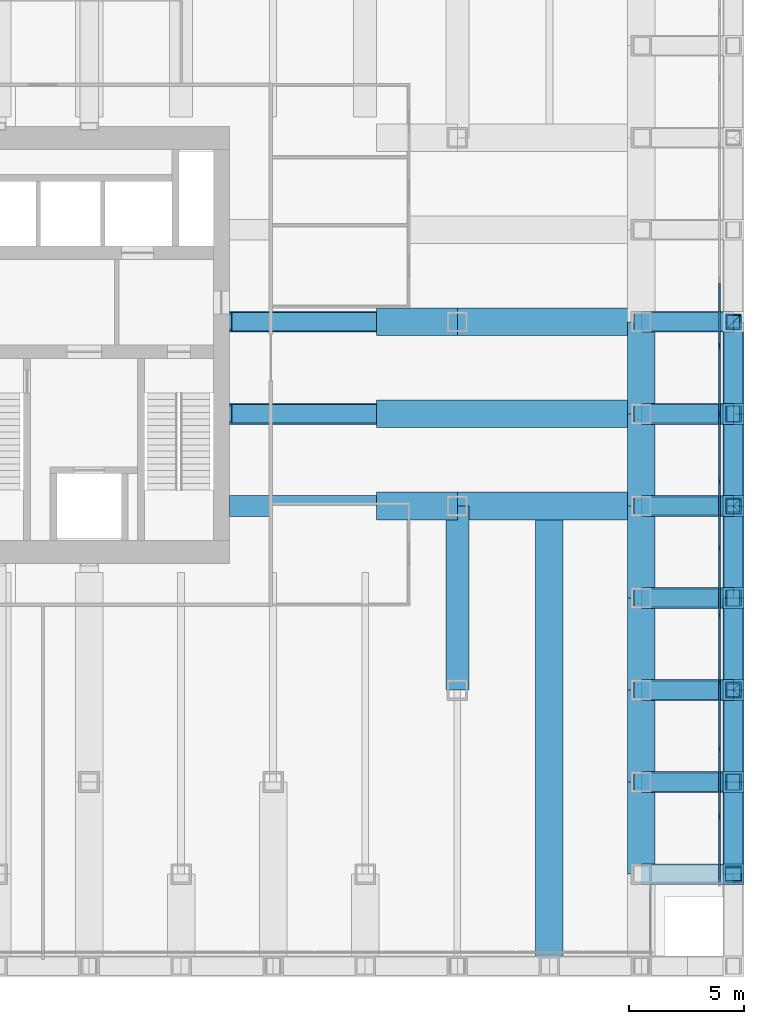
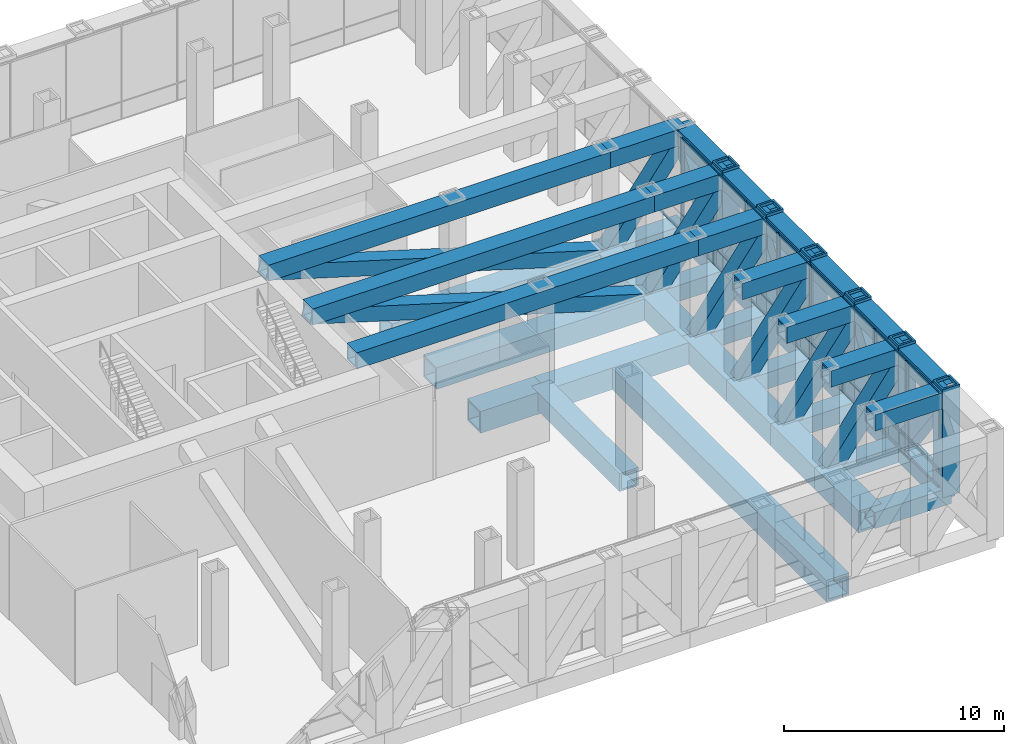
# One storey, part 5 of 14: 53 members, 42 beams, 1 element without a shape of its own.
"""IFC4 building model written with IfcOpenShell, lengths in metres."""

from ifc_helpers import new_model, si_unit, direction, frame, origin, origin_2d, place, context, subcontext, project, spatial, rectangle, hollow_rectangle, extrude, material, material_profile, profile_set, type_object, element, aggregate, save


model = new_model("IFC4")

# Units and contexts
model_context = context("Model", 3, precision=1e-05, world=origin(), true_north=direction((0.0, 1.0)))
body_context = subcontext(model_context, "Body", "Model", "MODEL_VIEW")
ifc_project = project(units=[si_unit("LENGTHUNIT", "METRE"), si_unit("AREAUNIT", "SQUARE_METRE"), si_unit("VOLUMEUNIT", "CUBIC_METRE"), si_unit("PLANEANGLEUNIT", "RADIAN"), si_unit("MASSUNIT", "GRAM", prefix="KILO")], contexts=[model_context])

# Site, building, storey
site_placement = place(None, origin())
site = spatial("IfcSite", under=ifc_project, at=site_placement, CompositionType="ELEMENT")
building_placement = place(site_placement, origin())
building = spatial("IfcBuilding", under=site, at=building_placement, Name="Rimbunsela Tower", CompositionType="ELEMENT")
storey_placement = place(building_placement, frame((0.0, 0.0, 71.0)))
storey = spatial("IfcBuildingStorey", under=building, at=storey_placement, Name="L17", CompositionType="ELEMENT", Elevation=71.0)

# Beams
ifc_material_1 = material(Name="Steel BJ 55 (fy 410 MPa)", Category="steel")
ifc_material_profile_1 = material_profile(ifc_material_1, hollow_rectangle(XDim=1.0, YDim=1.0, WallThickness=0.10009765625, at=origin_2d()), Name="BOX 1000x1000x100")
ifc_profile_set_1 = profile_set([ifc_material_profile_1], Name="Steel BJ 55 (fy 410 MPa)")
beam_type_1 = type_object("IfcBeamType", Name="Beam BOX 1000x1000x100", PredefinedType="BEAM", material=ifc_profile_set_1)
beam_1_placement = place(storey_placement, frame((46.0, 12.0, -0.64990234375), z_axis=(0.0, 1.0, 0.0), x_axis=(-1.0, 0.0, 0.0)))
element("IfcBeam", 1, at=beam_1_placement, inside=storey, type_object=beam_type_1, Name="Beam B3 L17", PredefinedType="BEAM", context=body_context, shape_type="SweptSolid", body=[
    extrude(hollow_rectangle(XDim=1.0, YDim=1.0, WallThickness=0.10009765625, at=origin_2d()), origin(), (0.0, 0.0, 1.0), 8.0),
])
ifc_material_2 = material(Name="Steel BJ 55 (fy 410 MPa)", Category="steel")
ifc_material_profile_2 = material_profile(ifc_material_2, hollow_rectangle(XDim=1.199951171875, YDim=1.199951171875, WallThickness=0.10009765625, at=origin_2d()), Name="BOX 1200x1200x100")
ifc_profile_set_2 = profile_set([ifc_material_profile_2], Name="Steel BJ 55 (fy 410 MPa)")
beam_type_2 = type_object("IfcBeamType", Name="Beam BOX 1200x1200x100", PredefinedType="BEAM", material=ifc_profile_set_2)
beam_2_placement = place(storey_placement, frame((42.5, 20.0, -0.75), z_axis=(1.0, 0.0, 0.0), x_axis=(0.0, 1.0, 0.0)))
element("IfcBeam", 2, at=beam_2_placement, inside=storey, type_object=beam_type_2, Name="Beam B5 L17", PredefinedType="BEAM", context=body_context, shape_type="SweptSolid", body=[
    extrude(hollow_rectangle(XDim=1.199951171875, YDim=1.199951171875, WallThickness=0.10009765625, at=origin_2d()), origin(), (0.0, 0.0, 1.0), 3.5),
])
beam_3_placement = place(storey_placement, frame((42.5, 24.0, -0.75), z_axis=(1.0, 0.0, 0.0), x_axis=(0.0, 1.0, 0.0)))
element("IfcBeam", 3, at=beam_3_placement, inside=storey, type_object=beam_type_2, Name="Beam B5 L17", PredefinedType="BEAM", context=body_context, shape_type="SweptSolid", body=[
    extrude(hollow_rectangle(XDim=1.199951171875, YDim=1.199951171875, WallThickness=0.10009765625, at=origin_2d()), origin(), (0.0, 0.0, 1.0), 11.5),
])
beam_4_placement = place(storey_placement, frame((42.5, 28.0, -0.75), z_axis=(1.0, 0.0, 0.0), x_axis=(0.0, 1.0, 0.0)))
element("IfcBeam", 4, at=beam_4_placement, inside=storey, type_object=beam_type_2, Name="Beam B5 L17", PredefinedType="BEAM", context=body_context, shape_type="SweptSolid", body=[
    extrude(hollow_rectangle(XDim=1.199951171875, YDim=1.199951171875, WallThickness=0.10009765625, at=origin_2d()), origin(), (0.0, 0.0, 1.0), 3.5),
])
ifc_material_3 = material(Name="Steel BJ 55 (fy 410 MPa)", Category="steel")
ifc_material_profile_3 = material_profile(ifc_material_3, hollow_rectangle(XDim=1.199951171875, YDim=1.199951171875, WallThickness=0.125, at=origin_2d()), Name="BOX 1200x1200x125")
ifc_profile_set_3 = profile_set([ifc_material_profile_3], Name="Steel BJ 55 (fy 410 MPa)")
beam_type_3 = type_object("IfcBeamType", Name="Beam BOX 1200x1200x125", PredefinedType="BEAM", material=ifc_profile_set_3)
for number, where, z_axis, x_axis, name in (
    (5, (46.0, 20.0, -0.75), (1.0, 0.0, 0.0), (0.0, 1.0, 0.0), "Beam B4 L17"),
    (6, (46.0, 28.0, -0.75), (1.0, 0.0, 0.0), (0.0, 1.0, 0.0), "Beam B4 L17"),
):
    element("IfcBeam", number, at=place(storey_placement, frame(where, z_axis=z_axis, x_axis=x_axis)), inside=storey, type_object=beam_type_3, Name=name, PredefinedType="BEAM", context=body_context, shape_type="SweptSolid", body=[
        extrude(hollow_rectangle(XDim=1.199951171875, YDim=1.199951171875, WallThickness=0.125, at=origin_2d()), origin(), (0.0, 0.0, 1.0), 8.0),
    ])
beam_5_placement = place(storey_placement, frame((50.0, 0.0, -0.75), z_axis=(0.0, 1.0, 0.0), x_axis=(-1.0, 0.0, 0.0)))
element("IfcBeam", 7, at=beam_5_placement, inside=storey, type_object=beam_type_3, Name="Beam B4 L17", PredefinedType="BEAM", context=body_context, shape_type="SweptSolid", body=[
    extrude(hollow_rectangle(XDim=1.199951171875, YDim=1.199951171875, WallThickness=0.125, at=origin_2d()), origin(), (0.0, 0.0, 1.0), 19.39990234375),
])
for number, where, z_axis, x_axis, name in (
    (8, (54.0, 4.0, -0.75), (0.0, 1.0, 0.0), (-1.0, 0.0, 0.0), "Beam B4 L17"),
    (9, (54.0, 8.0, -0.75), (0.0, 1.0, 0.0), (-1.0, 0.0, 0.0), "Beam B4 L17"),
    (10, (54.0, 12.0, -0.75), (0.0, 1.0, 0.0), (-1.0, 0.0, 0.0), "Beam B4 L17"),
    (11, (54.0, 16.0, -0.75), (0.0, 1.0, 0.0), (-1.0, 0.0, 0.0), "Beam B4 L17"),
    (12, (54.0, 20.0, -0.75), (0.0, 1.0, 0.0), (-1.0, 0.0, 0.0), "Beam B4 L17"),
    (13, (54.0, 24.0, -0.75), (0.0, 1.0, 0.0), (-1.0, 0.0, 0.0), "Beam B4 L17"),
):
    element("IfcBeam", number, at=place(storey_placement, frame(where, z_axis=z_axis, x_axis=x_axis)), inside=storey, type_object=beam_type_3, Name=name, PredefinedType="BEAM", context=body_context, shape_type="SweptSolid", body=[
        extrude(hollow_rectangle(XDim=1.199951171875, YDim=1.199951171875, WallThickness=0.125, at=origin_2d()), origin(), (0.0, 0.0, 1.0), 4.0),
    ])

# Curtain wall, members
ifc_material_4 = material(Name="Aluminium curtain wall", Category="aluminium")
curtain_wall_type = type_object("IfcCurtainWallType", Name="Plant floor louvre wall", PredefinedType="USERDEFINED", material=ifc_material_4)
curtain_wall_placement = place(storey_placement, origin())
curtain_wall = element("IfcCurtainWall", 14, at=curtain_wall_placement, inside=storey, type_object=curtain_wall_type, Name="Plant floor louvre wall L17", ObjectType="PLANT FLOOR LOUVRE WALL", PredefinedType="USERDEFINED")
ifc_material_5 = material(Name="Aluminium mullion", Category="aluminium")
ifc_material_profile_4 = material_profile(ifc_material_5, rectangle(XDim=0.06005859375, YDim=0.25, at=origin_2d()), Name="Mullion 60x250")
ifc_profile_set_4 = profile_set([ifc_material_profile_4], Name="Aluminium mullion")
member_type_1 = type_object("IfcMemberType", Name="Curtain wall mullion 60x250", PredefinedType="MULLION", material=ifc_profile_set_4)
member_1_placement = place(storey_placement, frame((57.39990234375, 6.514404296875, 0.0), z_axis=(0.0, 0.0, 1.0), x_axis=(-1.0, 0.0, 0.0)))
member_1 = element("IfcMember", 15, at=member_1_placement, type_object=member_type_1, Name="CW3 mullion 2", PredefinedType="MULLION", context=body_context, shape_type="SweptSolid", body=[
    extrude(rectangle(XDim=0.06005859375, YDim=0.25, at=origin_2d()), origin(), (0.0, 0.0, 1.0), 5.25),
])
member_2_placement = place(storey_placement, frame((57.39990234375, 9.428466796875, 0.0), z_axis=(0.0, 0.0, 1.0), x_axis=(-1.0, 0.0, 0.0)))
member_2 = element("IfcMember", 16, at=member_2_placement, type_object=member_type_1, Name="CW3 mullion 3", PredefinedType="MULLION", context=body_context, shape_type="SweptSolid", body=[
    extrude(rectangle(XDim=0.06005859375, YDim=0.25, at=origin_2d()), origin(), (0.0, 0.0, 1.0), 5.25),
])
member_3_placement = place(storey_placement, frame((57.39990234375, 12.3427734375, 0.0), z_axis=(0.0, 0.0, 1.0), x_axis=(-1.0, 0.0, 0.0)))
member_3 = element("IfcMember", 17, at=member_3_placement, type_object=member_type_1, Name="CW3 mullion 4", PredefinedType="MULLION", context=body_context, shape_type="SweptSolid", body=[
    extrude(rectangle(XDim=0.06005859375, YDim=0.25, at=origin_2d()), origin(), (0.0, 0.0, 1.0), 5.25),
])
member_4_placement = place(storey_placement, frame((57.39990234375, 15.257080078125, 0.0), z_axis=(0.0, 0.0, 1.0), x_axis=(-1.0, 0.0, 0.0)))
member_4 = element("IfcMember", 18, at=member_4_placement, type_object=member_type_1, Name="CW3 mullion 5", PredefinedType="MULLION", context=body_context, shape_type="SweptSolid", body=[
    extrude(rectangle(XDim=0.06005859375, YDim=0.25, at=origin_2d()), origin(), (0.0, 0.0, 1.0), 5.25),
])
member_5_placement = place(storey_placement, frame((57.39990234375, 18.17138671875, 0.0), z_axis=(0.0, 0.0, 1.0), x_axis=(-1.0, 0.0, 0.0)))
member_5 = element("IfcMember", 19, at=member_5_placement, type_object=member_type_1, Name="CW3 mullion 6", PredefinedType="MULLION", context=body_context, shape_type="SweptSolid", body=[
    extrude(rectangle(XDim=0.06005859375, YDim=0.25, at=origin_2d()), origin(), (0.0, 0.0, 1.0), 5.25),
])
member_6_placement = place(storey_placement, frame((57.39990234375, 21.085693359375, 0.0), z_axis=(0.0, 0.0, 1.0), x_axis=(-1.0, 0.0, 0.0)))
member_6 = element("IfcMember", 20, at=member_6_placement, type_object=member_type_1, Name="CW3 mullion 7", PredefinedType="MULLION", context=body_context, shape_type="SweptSolid", body=[
    extrude(rectangle(XDim=0.06005859375, YDim=0.25, at=origin_2d()), origin(), (0.0, 0.0, 1.0), 5.25),
])
member_7_placement = place(storey_placement, frame((57.39990234375, 24.0, 0.0), z_axis=(0.0, 0.0, 1.0), x_axis=(-1.0, 0.0, 0.0)))
member_7 = element("IfcMember", 21, at=member_7_placement, type_object=member_type_1, Name="CW3 mullion 8", PredefinedType="MULLION", context=body_context, shape_type="SweptSolid", body=[
    extrude(rectangle(XDim=0.06005859375, YDim=0.25, at=origin_2d()), origin(), (0.0, 0.0, 1.0), 5.25),
])
member_8_placement = place(storey_placement, frame((57.39990234375, 26.914306640625, 0.0), z_axis=(0.0, 0.0, 1.0), x_axis=(-1.0, 0.0, 0.0)))
member_8 = element("IfcMember", 22, at=member_8_placement, type_object=member_type_1, Name="CW3 mullion 9", PredefinedType="MULLION", context=body_context, shape_type="SweptSolid", body=[
    extrude(rectangle(XDim=0.06005859375, YDim=0.25, at=origin_2d()), origin(), (0.0, 0.0, 1.0), 5.25),
])
ifc_material_6 = material(Name="Aluminium transom", Category="aluminium")
ifc_material_profile_5 = material_profile(ifc_material_6, rectangle(XDim=0.06005859375, YDim=0.1201171875, at=origin_2d()), Name="Transom 60x120")
ifc_profile_set_5 = profile_set([ifc_material_profile_5], Name="Aluminium transom")
member_type_2 = type_object("IfcMemberType", Name="Curtain wall transom 60x120", PredefinedType="USERDEFINED", material=ifc_profile_set_5)
member_9_placement = place(storey_placement, frame((57.39990234375, 3.659912109375, 0.030029296875), z_axis=(0.0, 1.0, 0.0), x_axis=(-1.0, 0.0, 0.0)))
member_9 = element("IfcMember", 23, at=member_9_placement, type_object=member_type_2, Name="CW3 transom 1.1", ObjectType="TRANSOM", PredefinedType="USERDEFINED", context=body_context, shape_type="SweptSolid", body=[
    extrude(rectangle(XDim=0.06005859375, YDim=0.1201171875, at=origin_2d()), origin(), (0.0, 0.0, 1.0), 2.824462890625),
])
member_10_placement = place(storey_placement, frame((57.39990234375, 3.659912109375, 1.0), z_axis=(0.0, 1.0, 0.0), x_axis=(-1.0, 0.0, 0.0)))
member_10 = element("IfcMember", 24, at=member_10_placement, type_object=member_type_2, Name="CW3 transom 1.2", ObjectType="TRANSOM", PredefinedType="USERDEFINED", context=body_context, shape_type="SweptSolid", body=[
    extrude(rectangle(XDim=0.06005859375, YDim=0.1201171875, at=origin_2d()), origin(), (0.0, 0.0, 1.0), 2.824462890625),
])
member_11_placement = place(storey_placement, frame((57.39990234375, 3.659912109375, 5.219970703125), z_axis=(0.0, 1.0, 0.0), x_axis=(-1.0, 0.0, 0.0)))
member_11 = element("IfcMember", 25, at=member_11_placement, type_object=member_type_2, Name="CW3 transom 1.3", ObjectType="TRANSOM", PredefinedType="USERDEFINED", context=body_context, shape_type="SweptSolid", body=[
    extrude(rectangle(XDim=0.06005859375, YDim=0.1201171875, at=origin_2d()), origin(), (0.0, 0.0, 1.0), 2.824462890625),
])
member_12_placement = place(storey_placement, frame((57.39990234375, 6.544189453125, 0.030029296875), z_axis=(0.0, 1.0, 0.0), x_axis=(-1.0, 0.0, 0.0)))
member_12 = element("IfcMember", 26, at=member_12_placement, type_object=member_type_2, Name="CW3 transom 2.1", ObjectType="TRANSOM", PredefinedType="USERDEFINED", context=body_context, shape_type="SweptSolid", body=[
    extrude(rectangle(XDim=0.06005859375, YDim=0.1201171875, at=origin_2d()), origin(), (0.0, 0.0, 1.0), 2.8544921875),
])
member_13_placement = place(storey_placement, frame((57.39990234375, 6.544189453125, 1.0), z_axis=(0.0, 1.0, 0.0), x_axis=(-1.0, 0.0, 0.0)))
member_13 = element("IfcMember", 27, at=member_13_placement, type_object=member_type_2, Name="CW3 transom 2.2", ObjectType="TRANSOM", PredefinedType="USERDEFINED", context=body_context, shape_type="SweptSolid", body=[
    extrude(rectangle(XDim=0.06005859375, YDim=0.1201171875, at=origin_2d()), origin(), (0.0, 0.0, 1.0), 2.8544921875),
])
member_14_placement = place(storey_placement, frame((57.39990234375, 6.544189453125, 5.219970703125), z_axis=(0.0, 1.0, 0.0), x_axis=(-1.0, 0.0, 0.0)))
member_14 = element("IfcMember", 28, at=member_14_placement, type_object=member_type_2, Name="CW3 transom 2.3", ObjectType="TRANSOM", PredefinedType="USERDEFINED", context=body_context, shape_type="SweptSolid", body=[
    extrude(rectangle(XDim=0.06005859375, YDim=0.1201171875, at=origin_2d()), origin(), (0.0, 0.0, 1.0), 2.8544921875),
])
member_15_placement = place(storey_placement, frame((57.39990234375, 9.45849609375, 0.030029296875), z_axis=(0.0, 1.0, 0.0), x_axis=(-1.0, 0.0, 0.0)))
member_15 = element("IfcMember", 29, at=member_15_placement, type_object=member_type_2, Name="CW3 transom 3.1", ObjectType="TRANSOM", PredefinedType="USERDEFINED", context=body_context, shape_type="SweptSolid", body=[
    extrude(rectangle(XDim=0.06005859375, YDim=0.1201171875, at=origin_2d()), origin(), (0.0, 0.0, 1.0), 2.854248046875),
])
member_16_placement = place(storey_placement, frame((57.39990234375, 9.45849609375, 1.0), z_axis=(0.0, 1.0, 0.0), x_axis=(-1.0, 0.0, 0.0)))
member_16 = element("IfcMember", 30, at=member_16_placement, type_object=member_type_2, Name="CW3 transom 3.2", ObjectType="TRANSOM", PredefinedType="USERDEFINED", context=body_context, shape_type="SweptSolid", body=[
    extrude(rectangle(XDim=0.06005859375, YDim=0.1201171875, at=origin_2d()), origin(), (0.0, 0.0, 1.0), 2.854248046875),
])
member_17_placement = place(storey_placement, frame((57.39990234375, 9.45849609375, 5.219970703125), z_axis=(0.0, 1.0, 0.0), x_axis=(-1.0, 0.0, 0.0)))
member_17 = element("IfcMember", 31, at=member_17_placement, type_object=member_type_2, Name="CW3 transom 3.3", ObjectType="TRANSOM", PredefinedType="USERDEFINED", context=body_context, shape_type="SweptSolid", body=[
    extrude(rectangle(XDim=0.06005859375, YDim=0.1201171875, at=origin_2d()), origin(), (0.0, 0.0, 1.0), 2.854248046875),
])
member_18_placement = place(storey_placement, frame((57.39990234375, 12.372802734375, 0.030029296875), z_axis=(0.0, 1.0, 0.0), x_axis=(-1.0, 0.0, 0.0)))
member_18 = element("IfcMember", 32, at=member_18_placement, type_object=member_type_2, Name="CW3 transom 4.1", ObjectType="TRANSOM", PredefinedType="USERDEFINED", context=body_context, shape_type="SweptSolid", body=[
    extrude(rectangle(XDim=0.06005859375, YDim=0.1201171875, at=origin_2d()), origin(), (0.0, 0.0, 1.0), 2.854248046875),
])
member_19_placement = place(storey_placement, frame((57.39990234375, 12.372802734375, 1.0), z_axis=(0.0, 1.0, 0.0), x_axis=(-1.0, 0.0, 0.0)))
member_19 = element("IfcMember", 33, at=member_19_placement, type_object=member_type_2, Name="CW3 transom 4.2", ObjectType="TRANSOM", PredefinedType="USERDEFINED", context=body_context, shape_type="SweptSolid", body=[
    extrude(rectangle(XDim=0.06005859375, YDim=0.1201171875, at=origin_2d()), origin(), (0.0, 0.0, 1.0), 2.854248046875),
])
member_20_placement = place(storey_placement, frame((57.39990234375, 12.372802734375, 5.219970703125), z_axis=(0.0, 1.0, 0.0), x_axis=(-1.0, 0.0, 0.0)))
member_20 = element("IfcMember", 34, at=member_20_placement, type_object=member_type_2, Name="CW3 transom 4.3", ObjectType="TRANSOM", PredefinedType="USERDEFINED", context=body_context, shape_type="SweptSolid", body=[
    extrude(rectangle(XDim=0.06005859375, YDim=0.1201171875, at=origin_2d()), origin(), (0.0, 0.0, 1.0), 2.854248046875),
])
member_21_placement = place(storey_placement, frame((57.39990234375, 15.287109375, 0.030029296875), z_axis=(0.0, 1.0, 0.0), x_axis=(-1.0, 0.0, 0.0)))
member_21 = element("IfcMember", 35, at=member_21_placement, type_object=member_type_2, Name="CW3 transom 5.1", ObjectType="TRANSOM", PredefinedType="USERDEFINED", context=body_context, shape_type="SweptSolid", body=[
    extrude(rectangle(XDim=0.06005859375, YDim=0.1201171875, at=origin_2d()), origin(), (0.0, 0.0, 1.0), 2.854248046875),
])
member_22_placement = place(storey_placement, frame((57.39990234375, 15.287109375, 1.0), z_axis=(0.0, 1.0, 0.0), x_axis=(-1.0, 0.0, 0.0)))
member_22 = element("IfcMember", 36, at=member_22_placement, type_object=member_type_2, Name="CW3 transom 5.2", ObjectType="TRANSOM", PredefinedType="USERDEFINED", context=body_context, shape_type="SweptSolid", body=[
    extrude(rectangle(XDim=0.06005859375, YDim=0.1201171875, at=origin_2d()), origin(), (0.0, 0.0, 1.0), 2.854248046875),
])
member_23_placement = place(storey_placement, frame((57.39990234375, 15.287109375, 5.219970703125), z_axis=(0.0, 1.0, 0.0), x_axis=(-1.0, 0.0, 0.0)))
member_23 = element("IfcMember", 37, at=member_23_placement, type_object=member_type_2, Name="CW3 transom 5.3", ObjectType="TRANSOM", PredefinedType="USERDEFINED", context=body_context, shape_type="SweptSolid", body=[
    extrude(rectangle(XDim=0.06005859375, YDim=0.1201171875, at=origin_2d()), origin(), (0.0, 0.0, 1.0), 2.854248046875),
])
member_24_placement = place(storey_placement, frame((57.39990234375, 18.201416015625, 0.030029296875), z_axis=(0.0, 1.0, 0.0), x_axis=(-1.0, 0.0, 0.0)))
member_24 = element("IfcMember", 38, at=member_24_placement, type_object=member_type_2, Name="CW3 transom 6.1", ObjectType="TRANSOM", PredefinedType="USERDEFINED", context=body_context, shape_type="SweptSolid", body=[
    extrude(rectangle(XDim=0.06005859375, YDim=0.1201171875, at=origin_2d()), origin(), (0.0, 0.0, 1.0), 2.854248046875),
])
member_25_placement = place(storey_placement, frame((57.39990234375, 18.201416015625, 1.0), z_axis=(0.0, 1.0, 0.0), x_axis=(-1.0, 0.0, 0.0)))
member_25 = element("IfcMember", 39, at=member_25_placement, type_object=member_type_2, Name="CW3 transom 6.2", ObjectType="TRANSOM", PredefinedType="USERDEFINED", context=body_context, shape_type="SweptSolid", body=[
    extrude(rectangle(XDim=0.06005859375, YDim=0.1201171875, at=origin_2d()), origin(), (0.0, 0.0, 1.0), 2.854248046875),
])
member_26_placement = place(storey_placement, frame((57.39990234375, 18.201416015625, 5.219970703125), z_axis=(0.0, 1.0, 0.0), x_axis=(-1.0, 0.0, 0.0)))
member_26 = element("IfcMember", 40, at=member_26_placement, type_object=member_type_2, Name="CW3 transom 6.3", ObjectType="TRANSOM", PredefinedType="USERDEFINED", context=body_context, shape_type="SweptSolid", body=[
    extrude(rectangle(XDim=0.06005859375, YDim=0.1201171875, at=origin_2d()), origin(), (0.0, 0.0, 1.0), 2.854248046875),
])
member_27_placement = place(storey_placement, frame((57.39990234375, 21.11572265625, 0.030029296875), z_axis=(0.0, 1.0, 0.0), x_axis=(-1.0, 0.0, 0.0)))
member_27 = element("IfcMember", 41, at=member_27_placement, type_object=member_type_2, Name="CW3 transom 7.1", ObjectType="TRANSOM", PredefinedType="USERDEFINED", context=body_context, shape_type="SweptSolid", body=[
    extrude(rectangle(XDim=0.06005859375, YDim=0.1201171875, at=origin_2d()), origin(), (0.0, 0.0, 1.0), 2.854248046875),
])
member_28_placement = place(storey_placement, frame((57.39990234375, 21.11572265625, 1.0), z_axis=(0.0, 1.0, 0.0), x_axis=(-1.0, 0.0, 0.0)))
member_28 = element("IfcMember", 42, at=member_28_placement, type_object=member_type_2, Name="CW3 transom 7.2", ObjectType="TRANSOM", PredefinedType="USERDEFINED", context=body_context, shape_type="SweptSolid", body=[
    extrude(rectangle(XDim=0.06005859375, YDim=0.1201171875, at=origin_2d()), origin(), (0.0, 0.0, 1.0), 2.854248046875),
])
member_29_placement = place(storey_placement, frame((57.39990234375, 21.11572265625, 5.219970703125), z_axis=(0.0, 1.0, 0.0), x_axis=(-1.0, 0.0, 0.0)))
member_29 = element("IfcMember", 43, at=member_29_placement, type_object=member_type_2, Name="CW3 transom 7.3", ObjectType="TRANSOM", PredefinedType="USERDEFINED", context=body_context, shape_type="SweptSolid", body=[
    extrude(rectangle(XDim=0.06005859375, YDim=0.1201171875, at=origin_2d()), origin(), (0.0, 0.0, 1.0), 2.854248046875),
])
member_30_placement = place(storey_placement, frame((57.39990234375, 24.030029296875, 0.030029296875), z_axis=(0.0, 1.0, 0.0), x_axis=(-1.0, 0.0, 0.0)))
member_30 = element("IfcMember", 44, at=member_30_placement, type_object=member_type_2, Name="CW3 transom 8.1", ObjectType="TRANSOM", PredefinedType="USERDEFINED", context=body_context, shape_type="SweptSolid", body=[
    extrude(rectangle(XDim=0.06005859375, YDim=0.1201171875, at=origin_2d()), origin(), (0.0, 0.0, 1.0), 2.854248046875),
])
member_31_placement = place(storey_placement, frame((57.39990234375, 24.030029296875, 1.0), z_axis=(0.0, 1.0, 0.0), x_axis=(-1.0, 0.0, 0.0)))
member_31 = element("IfcMember", 45, at=member_31_placement, type_object=member_type_2, Name="CW3 transom 8.2", ObjectType="TRANSOM", PredefinedType="USERDEFINED", context=body_context, shape_type="SweptSolid", body=[
    extrude(rectangle(XDim=0.06005859375, YDim=0.1201171875, at=origin_2d()), origin(), (0.0, 0.0, 1.0), 2.854248046875),
])
member_32_placement = place(storey_placement, frame((57.39990234375, 24.030029296875, 5.219970703125), z_axis=(0.0, 1.0, 0.0), x_axis=(-1.0, 0.0, 0.0)))
member_32 = element("IfcMember", 46, at=member_32_placement, type_object=member_type_2, Name="CW3 transom 8.3", ObjectType="TRANSOM", PredefinedType="USERDEFINED", context=body_context, shape_type="SweptSolid", body=[
    extrude(rectangle(XDim=0.06005859375, YDim=0.1201171875, at=origin_2d()), origin(), (0.0, 0.0, 1.0), 2.854248046875),
])
member_33_placement = place(storey_placement, frame((57.39990234375, 26.9443359375, 0.030029296875), z_axis=(0.0, 1.0, 0.0), x_axis=(-1.0, 0.0, 0.0)))
member_33 = element("IfcMember", 47, at=member_33_placement, type_object=member_type_2, Name="CW3 transom 9.1", ObjectType="TRANSOM", PredefinedType="USERDEFINED", context=body_context, shape_type="SweptSolid", body=[
    extrude(rectangle(XDim=0.06005859375, YDim=0.1201171875, at=origin_2d()), origin(), (0.0, 0.0, 1.0), 2.854248046875),
])
aggregate(curtain_wall, [member_1, member_2, member_3, member_4, member_5, member_6, member_7, member_8, member_9, member_10, member_11, member_12, member_13, member_14, member_15, member_16, member_17, member_18, member_19, member_20, member_21, member_22, member_23, member_24, member_25, member_26, member_27, member_28, member_29, member_30, member_31, member_32, member_33])

# Members
ifc_material_7 = material(Name="Steel BJ 55 (fy 410 MPa)", Category="steel")
ifc_material_profile_6 = material_profile(ifc_material_7, hollow_rectangle(XDim=0.800048828125, YDim=0.800048828125, WallThickness=0.06005859375, at=origin_2d()), Name="BOX 800x800x60")
ifc_profile_set_6 = profile_set([ifc_material_profile_6], Name="Steel BJ 55 (fy 410 MPa)")
member_type_3 = type_object("IfcMemberType", Name="Outrigger brace BOX 800x800x60", PredefinedType="BRACE", material=ifc_profile_set_6)
for number, where, z_axis, x_axis, name in (
    (48, (54.0, 28.0, -0.60009765625), (-0.957380931682, 0.0, 0.288828239012), (0.0, -1.0, 0.0), "Outrigger brace OB1 E L17"),
    (49, (54.0, 24.0, -0.60009765625), (-0.957380931682, 0.0, 0.288828239012), (0.0, -1.0, 0.0), "Outrigger brace OB1 E L17"),
):
    element("IfcMember", number, at=place(storey_placement, frame(where, z_axis=z_axis, x_axis=x_axis)), inside=storey, type_object=member_type_3, Name=name, PredefinedType="BRACE", context=body_context, shape_type="SweptSolid", body=[
        extrude(hollow_rectangle(XDim=0.800048828125, YDim=0.800048828125, WallThickness=0.06005859375, at=origin_2d()), origin(), (0.0, 0.0, 1.0), 18.69677734375),
    ])

# Beams
ifc_material_8 = material(Name="Steel BJ 55 (fy 410 MPa)", Category="steel")
ifc_material_profile_7 = material_profile(ifc_material_8, hollow_rectangle(XDim=0.89990234375, YDim=0.89990234375, WallThickness=0.10009765625, at=origin_2d()), Name="BOX 900x900x100")
ifc_profile_set_7 = profile_set([ifc_material_profile_7], Name="Steel BJ 55 (fy 410 MPa)")
beam_type_4 = type_object("IfcBeamType", Name="Truss chord BOX 900x900x100", PredefinedType="USERDEFINED", material=ifc_profile_set_7)
for number, where, z_axis, x_axis, name in (
    (50, (58.0, 4.0, 4.800048828125), (0.0, 1.0, 0.0), (-1.0, 0.0, 0.0), "Truss top chord TC2 E face L17"),
    (51, (58.0, 8.0, 4.800048828125), (0.0, 1.0, 0.0), (-1.0, 0.0, 0.0), "Truss top chord TC2 E face L17"),
    (52, (58.0, 12.0, 4.800048828125), (0.0, 1.0, 0.0), (-1.0, 0.0, 0.0), "Truss top chord TC2 E face L17"),
    (53, (58.0, 16.0, 4.800048828125), (0.0, 1.0, 0.0), (-1.0, 0.0, 0.0), "Truss top chord TC2 E face L17"),
    (54, (58.0, 20.0, 4.800048828125), (0.0, 1.0, 0.0), (-1.0, 0.0, 0.0), "Truss top chord TC2 E face L17"),
    (55, (58.0, 24.0, 4.800048828125), (0.0, 1.0, 0.0), (-1.0, 0.0, 0.0), "Truss top chord TC2 E face L17"),
    (56, (54.0, 4.0, -0.60009765625), (1.0, 0.0, 0.0), (0.0, 1.0, 0.0), "Cantilever truss bottom chord TC2 17/C L17"),
    (57, (54.0, 4.0, 4.800048828125), (1.0, 0.0, 0.0), (0.0, 1.0, 0.0), "Cantilever truss top chord TC2 17/C L17"),
    (58, (54.0, 8.0, -0.60009765625), (1.0, 0.0, 0.0), (0.0, 1.0, 0.0), "Cantilever truss bottom chord TC2 17/D L17"),
    (59, (54.0, 8.0, 4.800048828125), (1.0, 0.0, 0.0), (0.0, 1.0, 0.0), "Cantilever truss top chord TC2 17/D L17"),
    (60, (54.0, 12.0, -0.60009765625), (1.0, 0.0, 0.0), (0.0, 1.0, 0.0), "Cantilever truss bottom chord TC2 17/E L17"),
    (61, (54.0, 12.0, 4.800048828125), (1.0, 0.0, 0.0), (0.0, 1.0, 0.0), "Cantilever truss top chord TC2 17/E L17"),
    (62, (54.0, 16.0, -0.60009765625), (1.0, 0.0, 0.0), (0.0, 1.0, 0.0), "Cantilever truss bottom chord TC2 17/F L17"),
    (63, (54.0, 16.0, 4.800048828125), (1.0, 0.0, 0.0), (0.0, 1.0, 0.0), "Cantilever truss top chord TC2 17/F L17"),
    (64, (54.0, 20.0, -0.60009765625), (1.0, 0.0, 0.0), (0.0, 1.0, 0.0), "Cantilever truss bottom chord TC2 17/G L17"),
):
    element("IfcBeam", number, at=place(storey_placement, frame(where, z_axis=z_axis, x_axis=x_axis)), inside=storey, type_object=beam_type_4, Name=name, ObjectType="TRUSS CHORD", PredefinedType="USERDEFINED", context=body_context, shape_type="SweptSolid", body=[
        extrude(hollow_rectangle(XDim=0.89990234375, YDim=0.89990234375, WallThickness=0.10009765625, at=origin_2d()), origin(), (0.0, 0.0, 1.0), 4.0),
    ])
beam_6_placement = place(storey_placement, frame((36.10009765625, 20.0, 4.800048828125), z_axis=(1.0, 0.0, 0.0), x_axis=(0.0, 1.0, 0.0)))
element("IfcBeam", 65, at=beam_6_placement, inside=storey, type_object=beam_type_4, Name="Cantilever truss top chord TC2 17/G L17", ObjectType="TRUSS CHORD", PredefinedType="USERDEFINED", context=body_context, shape_type="SweptSolid", body=[
    extrude(hollow_rectangle(XDim=0.89990234375, YDim=0.89990234375, WallThickness=0.10009765625, at=origin_2d()), origin(), (0.0, 0.0, 1.0), 17.89990234375),
])
for number, where, z_axis, x_axis, name in (
    (66, (54.0, 20.0, 4.800048828125), (1.0, 0.0, 0.0), (0.0, 1.0, 0.0), "Cantilever truss top chord TC2 17/G L17"),
    (67, (54.0, 24.0, -0.60009765625), (1.0, 0.0, 0.0), (0.0, 1.0, 0.0), "Cantilever truss bottom chord TC2 17/H L17"),
):
    element("IfcBeam", number, at=place(storey_placement, frame(where, z_axis=z_axis, x_axis=x_axis)), inside=storey, type_object=beam_type_4, Name=name, ObjectType="TRUSS CHORD", PredefinedType="USERDEFINED", context=body_context, shape_type="SweptSolid", body=[
        extrude(hollow_rectangle(XDim=0.89990234375, YDim=0.89990234375, WallThickness=0.10009765625, at=origin_2d()), origin(), (0.0, 0.0, 1.0), 4.0),
    ])
beam_7_placement = place(storey_placement, frame((36.10009765625, 24.0, 4.800048828125), z_axis=(1.0, 0.0, 0.0), x_axis=(0.0, 1.0, 0.0)))
element("IfcBeam", 68, at=beam_7_placement, inside=storey, type_object=beam_type_4, Name="Cantilever truss top chord TC2 17/H L17", ObjectType="TRUSS CHORD", PredefinedType="USERDEFINED", context=body_context, shape_type="SweptSolid", body=[
    extrude(hollow_rectangle(XDim=0.89990234375, YDim=0.89990234375, WallThickness=0.10009765625, at=origin_2d()), origin(), (0.0, 0.0, 1.0), 17.89990234375),
])
for number, where, z_axis, x_axis, name in (
    (69, (54.0, 24.0, 4.800048828125), (1.0, 0.0, 0.0), (0.0, 1.0, 0.0), "Cantilever truss top chord TC2 17/H L17"),
    (70, (54.0, 28.0, -0.60009765625), (1.0, 0.0, 0.0), (0.0, 1.0, 0.0), "Cantilever truss bottom chord TC2 17/J L17"),
):
    element("IfcBeam", number, at=place(storey_placement, frame(where, z_axis=z_axis, x_axis=x_axis)), inside=storey, type_object=beam_type_4, Name=name, ObjectType="TRUSS CHORD", PredefinedType="USERDEFINED", context=body_context, shape_type="SweptSolid", body=[
        extrude(hollow_rectangle(XDim=0.89990234375, YDim=0.89990234375, WallThickness=0.10009765625, at=origin_2d()), origin(), (0.0, 0.0, 1.0), 4.0),
    ])
beam_8_placement = place(storey_placement, frame((36.10009765625, 28.0, 4.800048828125), z_axis=(1.0, 0.0, 0.0), x_axis=(0.0, 1.0, 0.0)))
element("IfcBeam", 71, at=beam_8_placement, inside=storey, type_object=beam_type_4, Name="Cantilever truss top chord TC2 17/J L17", ObjectType="TRUSS CHORD", PredefinedType="USERDEFINED", context=body_context, shape_type="SweptSolid", body=[
    extrude(hollow_rectangle(XDim=0.89990234375, YDim=0.89990234375, WallThickness=0.10009765625, at=origin_2d()), origin(), (0.0, 0.0, 1.0), 17.89990234375),
])
for number, where, z_axis, x_axis, name in (
    (72, (54.0, 28.0, 4.800048828125), (1.0, 0.0, 0.0), (0.0, 1.0, 0.0), "Cantilever truss top chord TC2 17/J L17"),
    (73, (58.0, 4.0, -0.60009765625), (0.0, 1.0, 0.0), (-1.0, 0.0, 0.0), "Truss bottom chord TC2 E face L17"),
    (74, (58.0, 8.0, -0.60009765625), (0.0, 1.0, 0.0), (-1.0, 0.0, 0.0), "Truss bottom chord TC2 E face L17"),
    (75, (58.0, 12.0, -0.60009765625), (0.0, 1.0, 0.0), (-1.0, 0.0, 0.0), "Truss bottom chord TC2 E face L17"),
    (76, (58.0, 16.0, -0.60009765625), (0.0, 1.0, 0.0), (-1.0, 0.0, 0.0), "Truss bottom chord TC2 E face L17"),
    (77, (58.0, 20.0, -0.60009765625), (0.0, 1.0, 0.0), (-1.0, 0.0, 0.0), "Truss bottom chord TC2 E face L17"),
    (78, (58.0, 24.0, -0.60009765625), (0.0, 1.0, 0.0), (-1.0, 0.0, 0.0), "Truss bottom chord TC2 E face L17"),
):
    element("IfcBeam", number, at=place(storey_placement, frame(where, z_axis=z_axis, x_axis=x_axis)), inside=storey, type_object=beam_type_4, Name=name, ObjectType="TRUSS CHORD", PredefinedType="USERDEFINED", context=body_context, shape_type="SweptSolid", body=[
        extrude(hollow_rectangle(XDim=0.89990234375, YDim=0.89990234375, WallThickness=0.10009765625, at=origin_2d()), origin(), (0.0, 0.0, 1.0), 4.0),
    ])

# Members
ifc_material_9 = material(Name="Steel BJ 55 (fy 410 MPa)", Category="steel")
ifc_material_profile_8 = material_profile(ifc_material_9, hollow_rectangle(XDim=0.800048828125, YDim=0.800048828125, WallThickness=0.06005859375, at=origin_2d()), Name="BOX 800x800x60")
ifc_profile_set_8 = profile_set([ifc_material_profile_8], Name="Steel BJ 55 (fy 410 MPa)")
member_type_4 = type_object("IfcMemberType", Name="Truss diagonal BOX 800x800x60", PredefinedType="BRACE", material=ifc_profile_set_8)
for number, where, z_axis, x_axis, name in (
    (79, (58.0, 4.0, 4.800048828125), (0.0, 0.595217124844, -0.803564916041), (-1.0, 0.0, 0.0), "Truss diagonal TD2 E face L17"),
    (80, (58.0, 8.0, -0.60009765625), (0.0, 0.595217124844, 0.803564916041), (-1.0, 0.0, 0.0), "Truss diagonal TD2 E face L17"),
    (81, (58.0, 12.0, 4.800048828125), (0.0, 0.595217124844, -0.803564916041), (-1.0, 0.0, 0.0), "Truss diagonal TD2 E face L17"),
    (82, (58.0, 16.0, -0.60009765625), (0.0, 0.595217124844, 0.803564916041), (-1.0, 0.0, 0.0), "Truss diagonal TD2 E face L17"),
    (83, (58.0, 20.0, 4.800048828125), (0.0, 0.595217124844, -0.803564916041), (-1.0, 0.0, 0.0), "Truss diagonal TD2 E face L17"),
    (84, (58.0, 24.0, -0.60009765625), (0.0, 0.595217124844, 0.803564916041), (-1.0, 0.0, 0.0), "Truss diagonal TD2 E face L17"),
    (85, (54.0, 8.0, -0.60009765625), (0.595217124844, 0.0, 0.803564916041), (0.0, 1.0, 0.0), "Cantilever truss diagonal TD2 17/D L17"),
    (86, (54.0, 12.0, -0.60009765625), (0.595217124844, 0.0, 0.803564916041), (0.0, 1.0, 0.0), "Cantilever truss diagonal TD2 17/E L17"),
    (87, (54.0, 16.0, -0.60009765625), (0.595217124844, 0.0, 0.803564916041), (0.0, 1.0, 0.0), "Cantilever truss diagonal TD2 17/F L17"),
    (88, (54.0, 20.0, -0.60009765625), (0.595217124844, 0.0, 0.803564916041), (0.0, 1.0, 0.0), "Cantilever truss diagonal TD2 17/G L17"),
    (89, (54.0, 24.0, -0.60009765625), (0.595217124844, 0.0, 0.803564916041), (0.0, 1.0, 0.0), "Cantilever truss diagonal TD2 17/H L17"),
    (90, (54.0, 28.0, -0.60009765625), (0.595217124844, 0.0, 0.803564916041), (0.0, 1.0, 0.0), "Cantilever truss diagonal TD2 17/J L17"),
):
    element("IfcMember", number, at=place(storey_placement, frame(where, z_axis=z_axis, x_axis=x_axis)), inside=storey, type_object=member_type_4, Name=name, PredefinedType="BRACE", context=body_context, shape_type="SweptSolid", body=[
        extrude(hollow_rectangle(XDim=0.800048828125, YDim=0.800048828125, WallThickness=0.06005859375, at=origin_2d()), origin(), (0.0, 0.0, 1.0), 6.72021484375),
    ])
ifc_material_10 = material(Name="Steel BJ 55 (fy 410 MPa)", Category="steel")
ifc_material_profile_9 = material_profile(ifc_material_10, hollow_rectangle(XDim=0.89990234375, YDim=0.89990234375, WallThickness=0.10009765625, at=origin_2d()), Name="BOX 900x900x100")
ifc_profile_set_9 = profile_set([ifc_material_profile_9], Name="Steel BJ 55 (fy 410 MPa)")
member_type_5 = type_object("IfcMemberType", Name="Truss post BOX 900x900x100", PredefinedType="POST", material=ifc_profile_set_9)
for number, where, z_axis, x_axis, name in (
    (91, (58.0, 4.0, -0.60009765625), (0.0, 0.0, 1.0), (1.0, 0.0, 0.0), "Truss post TP2 17/C L17"),
    (92, (58.0, 8.0, -0.60009765625), (0.0, 0.0, 1.0), (1.0, 0.0, 0.0), "Truss post TP2 17/D L17"),
    (93, (58.0, 12.0, -0.60009765625), (0.0, 0.0, 1.0), (1.0, 0.0, 0.0), "Truss post TP2 17/E L17"),
    (94, (58.0, 16.0, -0.60009765625), (0.0, 0.0, 1.0), (1.0, 0.0, 0.0), "Truss post TP2 17/F L17"),
    (95, (58.0, 20.0, -0.60009765625), (0.0, 0.0, 1.0), (1.0, 0.0, 0.0), "Truss post TP2 17/G L17"),
    (96, (58.0, 24.0, -0.60009765625), (0.0, 0.0, 1.0), (1.0, 0.0, 0.0), "Truss post TP2 17/H L17"),
):
    element("IfcMember", number, at=place(storey_placement, frame(where, z_axis=z_axis, x_axis=x_axis)), inside=storey, type_object=member_type_5, Name=name, PredefinedType="POST", context=body_context, shape_type="SweptSolid", body=[
        extrude(hollow_rectangle(XDim=0.89990234375, YDim=0.89990234375, WallThickness=0.10009765625, at=origin_2d()), origin(), (0.0, 0.0, 1.0), 6.0),
    ])

save(model, "model.ifc")
